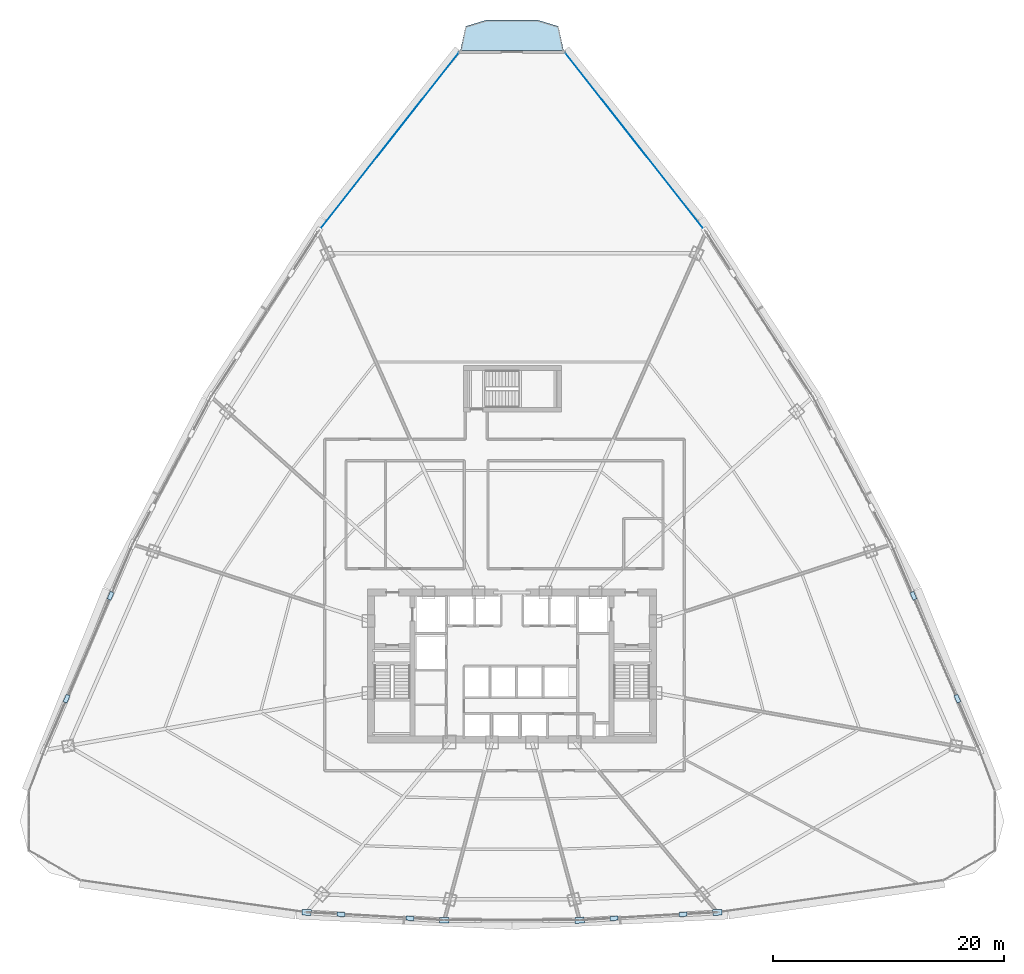
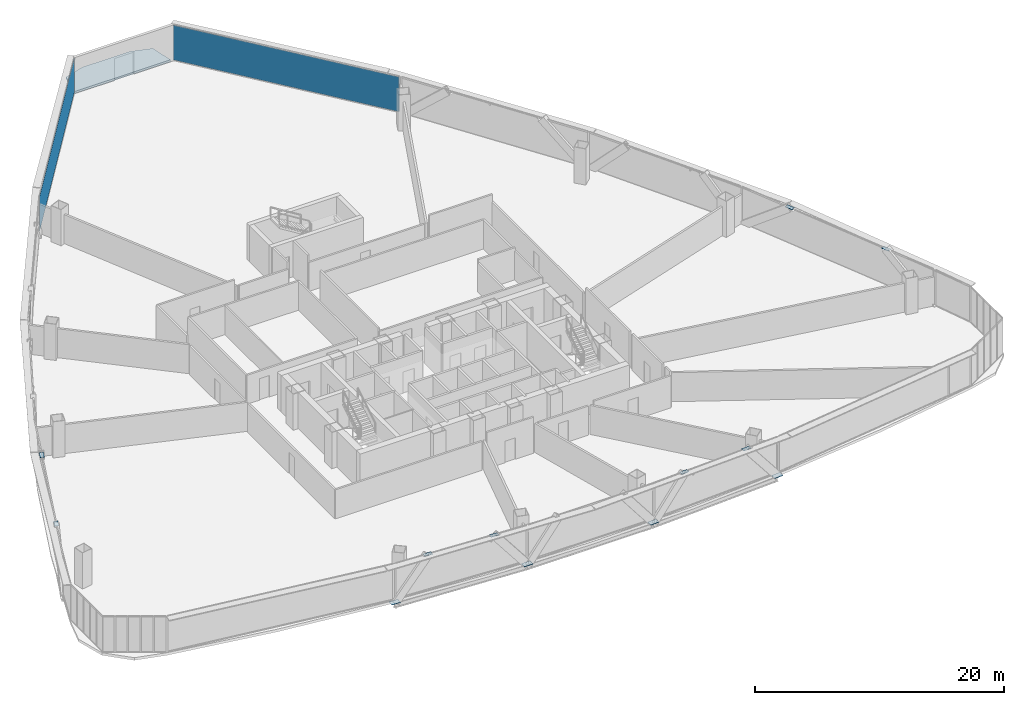
# One storey, part 31 of 39: 14 plates, 1 slab, 2 elements without a shape of their own.
"""IFC4 building model written with IfcOpenShell, lengths in metres."""

import ifcopenshell
import ifcopenshell.guid

model = None  # the IFC model being written
_history = None  # IfcOwnerHistory: only IFC2X3 demands one
_inside = {}  # id of a spatial element -> (the spatial element, [elements in it])
_under = {}  # id of a project, library or spatial element -> (it, [spatial elements below it])
_declared = {}  # id of a project -> (the project, [libraries it declares])
_typed = {}  # id of a type object -> (the type object, [elements of that type])
_made_of = {}  # id of a material, layer set ... -> (it, [elements and type objects made of it])


def new_model(schema):
    """Start an empty IFC model of exactly this schema.

    Asked for "IFC4X3", IfcOpenShell would pick the latest addendum, in which some entities
    have other attributes; the version numbers below select the first issue.
    IFC2X3 requires an IfcOwnerHistory on every rooted entity: one is made here for all.
    """
    global model, _history
    if schema == "IFC4X3":
        model = ifcopenshell.file(schema_version=(4, 3, 0, 0))
    else:
        model = ifcopenshell.file(schema=schema)
    _inside.clear()
    _under.clear()
    _declared.clear()
    _typed.clear()
    _made_of.clear()
    _history = None
    if model.schema == "IFC2X3":
        org = make("IfcOrganization", Name="unknown")
        user = make(
            "IfcPersonAndOrganization",
            ThePerson=make("IfcPerson", FamilyName="unknown"),
            TheOrganization=org,
        )
        app = make(
            "IfcApplication",
            ApplicationDeveloper=org,
            Version="unknown",
            ApplicationFullName="unknown",
            ApplicationIdentifier="unknown",
        )
        _history = make(
            "IfcOwnerHistory",
            OwningUser=user,
            OwningApplication=app,
            ChangeAction="ADDED",
            CreationDate=0,
        )
    return model


def make(cls, **values):
    """One entity of the class cls with the attributes given. An attribute that is None is left unset."""
    return model.create_entity(
        cls, **{name: value for name, value in values.items() if value is not None}
    )


def rooted(cls, **values):
    """An entity with a GlobalId (a new one), such as an element, a storey or a relation."""
    return make(cls, GlobalId=ifcopenshell.guid.new(), OwnerHistory=_history, **values)


def si_unit(unit_type, name, prefix=None):
    """IfcSIUnit, for example si_unit("LENGTHUNIT", "METRE", prefix="MILLI")."""
    return make("IfcSIUnit", UnitType=unit_type, Prefix=prefix, Name=name)


def assignment(units):
    """IfcUnitAssignment: the units of a project."""
    return None if units is None else make("IfcUnitAssignment", Units=units)


def point(xyz):
    """IfcCartesianPoint."""
    return None if xyz is None else make("IfcCartesianPoint", Coordinates=xyz)


def direction(xyz):
    """IfcDirection."""
    return None if xyz is None else make("IfcDirection", DirectionRatios=xyz)


def frame(location, z_axis=None, x_axis=None):
    """IfcAxis2Placement3D, a coordinate frame: its origin and axes. An axis left out is left unset."""
    return make(
        "IfcAxis2Placement3D",
        Location=point(location),
        Axis=direction(z_axis),
        RefDirection=direction(x_axis),
    )


def frame_2d(location, x_axis=None):
    """IfcAxis2Placement2D, a coordinate frame in the plane: its origin and x axis."""
    return make(
        "IfcAxis2Placement2D", Location=point(location), RefDirection=direction(x_axis)
    )


def origin():
    """The frame at (0, 0, 0) with its axes left unset."""
    return frame((0.0, 0.0, 0.0))


def origin_2d():
    """The frame at (0, 0) in the plane with its x axis left unset."""
    return frame_2d((0.0, 0.0))


def place(relative_to, where):
    """IfcLocalPlacement: puts the frame where relative to a parent placement (None: the world)."""
    return make(
        "IfcLocalPlacement", PlacementRelTo=relative_to, RelativePlacement=where
    )


def context(
    kind, dimensions, precision=None, world=None, true_north=None, identifier=None
):
    """IfcGeometricRepresentationContext, for example the 3D "Model" context."""
    return make(
        "IfcGeometricRepresentationContext",
        ContextIdentifier=identifier,
        ContextType=kind,
        CoordinateSpaceDimension=dimensions,
        Precision=precision,
        WorldCoordinateSystem=world,
        TrueNorth=true_north,
    )


def subcontext(parent, identifier, kind, view, scale=None):
    """IfcGeometricRepresentationSubContext, for example "Body" below "Model"."""
    return make(
        "IfcGeometricRepresentationSubContext",
        ContextIdentifier=identifier,
        ContextType=kind,
        ParentContext=parent,
        TargetScale=scale,
        TargetView=view,
    )


def project(units=None, contexts=None):
    """IfcProject with its units and contexts."""
    return rooted(
        "IfcProject",
        Name="project",
        RepresentationContexts=contexts,
        UnitsInContext=assignment(units),
    )


def spatial(cls, under=None, at=None, **own):
    """A site, building, storey or space (cls), placed at a placement, below another one or the project."""
    s = rooted(cls, ObjectPlacement=at, **own)
    if under is not None:
        _under.setdefault(under.id(), (under, []))[1].append(s)
    return s


def polyline(points):
    """IfcPolyline through the points."""
    return make("IfcPolyline", Points=[point(p) for p in points])


def profile(cls, at=None, kind="AREA", **sizes):
    """A parametric profile (cls). Its sizes go by their IFC names, for example OverallWidth=200.0."""
    return make(cls, ProfileType=kind, Position=at, **sizes)


def rectangle(**sizes):
    """IfcRectangleProfileDef."""
    return profile("IfcRectangleProfileDef", **sizes)


def outline(outer, holes=None, kind="AREA"):
    """IfcArbitraryClosedProfileDef: a profile drawn as a closed curve; with holes, ...WithVoids."""
    if holes is None:
        return make("IfcArbitraryClosedProfileDef", ProfileType=kind, OuterCurve=outer)
    return make(
        "IfcArbitraryProfileDefWithVoids",
        ProfileType=kind,
        OuterCurve=outer,
        InnerCurves=holes,
    )


def extrude(swept, where, along, depth):
    """IfcExtrudedAreaSolid: the profile swept, set in the frame where, extruded along a direction by depth."""
    return make(
        "IfcExtrudedAreaSolid",
        SweptArea=swept,
        Position=where,
        ExtrudedDirection=direction(along),
        Depth=depth,
    )


def shape(context_of_items, identifier, shape_type, items):
    """IfcShapeRepresentation: the items that make up one representation, for example the "Body"."""
    return make(
        "IfcShapeRepresentation",
        ContextOfItems=context_of_items,
        RepresentationIdentifier=identifier,
        RepresentationType=shape_type,
        Items=items,
    )


def source(mapping_origin, context_of_items, identifier, shape_type, items):
    """IfcRepresentationMap: a shape defined once, which mapped items show again and again."""
    return make(
        "IfcRepresentationMap",
        MappingOrigin=mapping_origin,
        MappedRepresentation=shape(context_of_items, identifier, shape_type, items),
    )


def transform(
    local_origin,
    x_axis=None,
    y_axis=None,
    z_axis=None,
    scale=None,
    scale2=None,
    scale3=None,
    uniform=True,
):
    """IfcCartesianTransformationOperator3D, or its non-uniform kind. x_axis, y_axis, z_axis: its Axis1, 2, 3."""
    if uniform:
        return make(
            "IfcCartesianTransformationOperator3D",
            Axis1=direction(x_axis),
            Axis2=direction(y_axis),
            LocalOrigin=point(local_origin),
            Scale=scale,
            Axis3=direction(z_axis),
        )
    return make(
        "IfcCartesianTransformationOperator3DnonUniform",
        Axis1=direction(x_axis),
        Axis2=direction(y_axis),
        LocalOrigin=point(local_origin),
        Scale=scale,
        Axis3=direction(z_axis),
        Scale2=scale2,
        Scale3=scale3,
    )


def mapped(mapping_source, mapping_target):
    """IfcMappedItem: shows the shape of a source again, moved by a transform."""
    return make(
        "IfcMappedItem", MappingSource=mapping_source, MappingTarget=mapping_target
    )


def material(Name=None, Category=None):
    """IfcMaterial."""
    return make("IfcMaterial", Name=Name, Category=Category)


def layer(
    of_material, thickness, ventilated=None, Name=None, Category=None, Priority=None
):
    """IfcMaterialLayer: one layer of a wall or slab, of a material (None: an air gap)."""
    return make(
        "IfcMaterialLayer",
        Material=of_material,
        LayerThickness=thickness,
        IsVentilated=ventilated,
        Name=Name,
        Category=Category,
        Priority=Priority,
    )


def layer_set(layers, Name=None):
    """IfcMaterialLayerSet."""
    return make("IfcMaterialLayerSet", MaterialLayers=layers, LayerSetName=Name)


def made_of(thing, what):
    """Note that an element or type object is made of a material, layer set ...; save() writes the relation."""
    if what is not None:
        _made_of.setdefault(what.id(), (what, []))[1].append(thing)
    return thing


def type_object(cls, material=None, **own):
    """A type object (cls), such as IfcWallType, which elements share."""
    return made_of(rooted(cls, **own), material)


def element(
    cls,
    number,
    at=None,
    inside=None,
    cuts=None,
    type_object=None,
    material=None,
    context=None,
    identifier="Body",
    shape_type=None,
    held_by="IfcProductDefinitionShape",
    body=None,
    shapes=None,
    **own,
):
    """One element of the class cls, such as IfcWall. Its Tag is "e" and its number.

    at: its placement. inside: the storey or other place that contains it. cuts: it is an
    opening in that element (IfcRelVoidsElement). A single representation is given by context,
    identifier, shape_type and body (its items); several are given by shapes. held_by: the class
    of the entity that holds the representations. save() writes the other relations.
    """
    e = rooted(cls, Tag="e%d" % number, ObjectPlacement=at, **own)
    if body is not None:
        shapes = [shape(context, identifier, shape_type, body)]
    if shapes is not None:
        e.Representation = make(held_by, Representations=shapes)
    if inside is not None:
        _inside.setdefault(inside.id(), (inside, []))[1].append(e)
    if cuts is not None:
        rooted(
            "IfcRelVoidsElement", RelatingBuildingElement=cuts, RelatedOpeningElement=e
        )
    if type_object is not None:
        _typed.setdefault(type_object.id(), (type_object, []))[1].append(e)
    return made_of(e, material)


def aggregate(whole, parts):
    """IfcRelAggregates: a whole, such as a stair, and the parts it consists of."""
    return rooted("IfcRelAggregates", RelatingObject=whole, RelatedObjects=parts)


def save(model, path):
    """Write the relations noted so far, then the file.

    IfcRelAggregates (storeys below a building ...), IfcRelContainedInSpatialStructure (elements
    in a storey), IfcRelDefinesByType, IfcRelAssociatesMaterial and IfcRelDeclares: one each for
    every whole, place, type object, material and project.
    """
    for whole, parts in _under.values():
        aggregate(whole, parts)
    for where, things in _inside.values():
        rooted(
            "IfcRelContainedInSpatialStructure",
            RelatedElements=things,
            RelatingStructure=where,
        )
    for kind, things in _typed.values():
        rooted("IfcRelDefinesByType", RelatedObjects=things, RelatingType=kind)
    for what, things in _made_of.values():
        rooted("IfcRelAssociatesMaterial", RelatedObjects=things, RelatingMaterial=what)
    for by, libraries in _declared.values():
        rooted("IfcRelDeclares", RelatingContext=by, RelatedDefinitions=libraries)
    model.write(path)


model = new_model("IFC4")

# Units and contexts
model_context = context("Model", 3, precision=1e-05, world=origin(), true_north=direction((0.0, 1.0)))
body_context = subcontext(model_context, "Body", "Model", "MODEL_VIEW")
ifc_project = project(units=[si_unit("LENGTHUNIT", "METRE"), si_unit("AREAUNIT", "SQUARE_METRE"), si_unit("VOLUMEUNIT", "CUBIC_METRE"), si_unit("PLANEANGLEUNIT", "RADIAN"), si_unit("MASSUNIT", "GRAM", prefix="KILO"), si_unit("THERMODYNAMICTEMPERATUREUNIT", "KELVIN"), si_unit("POWERUNIT", "WATT")], contexts=[model_context])

# Site, building, storey
site_placement = place(None, origin())
site = spatial("IfcSite", under=ifc_project, at=site_placement, CompositionType="ELEMENT")
building_placement = place(site_placement, origin())
building = spatial("IfcBuilding", under=site, at=building_placement, Name="Yunzhuo Pagoda Commons", CompositionType="ELEMENT")
storey_placement = place(building_placement, frame((0.0, 0.0, 96.3798828125)))
storey = spatial("IfcBuildingStorey", under=building, at=storey_placement, Name="L24", CompositionType="ELEMENT", Elevation=96.3798828125)

# Slab
ifc_material_1 = material(Name="Concrete C40", Category="concrete")
ifc_layer_1 = layer(ifc_material_1, 0.199951171875)
ifc_layer_set_1 = layer_set([ifc_layer_1], Name="Concrete C40")
slab_type = type_object("IfcSlabType", Name="SL-BAL Vertex Balcony Deck Slab 200", PredefinedType="FLOOR", material=ifc_layer_set_1)
slab_placement = place(storey_placement, frame((0.0, 0.0, -0.199951171875)))
element("IfcSlab", 1, at=slab_placement, inside=storey, type_object=slab_type, Name="L24 corner balcony V3", PredefinedType="FLOOR", context=body_context, shape_type="SweptSolid", body=[
    extrude(outline(polyline([(52.46240234375, 87.039794921875), (43.53759765625, 87.039794921875), (43.987548828125, 89.134765625), (45.768798828125, 89.684814453125), (50.231201171875, 89.684814453125), (52.012451171875, 89.134765625), (52.46240234375, 87.039794921875)])), origin(), (0.0, 0.0, 1.0), 0.199951171875),
])

# Plates
ifc_material_2 = material(Name="Structural steel Q355B", Category="steel")
ifc_layer_2 = layer(ifc_material_2, 0.028076171875)
ifc_layer_set_2 = layer_set([ifc_layer_2], Name="Structural steel Q355B")
plate_type_1 = type_object("IfcPlateType", Name="SP-ND1 Lattice Node Cap Plate 800x500x28", PredefinedType="USERDEFINED", material=ifc_layer_set_2)
shared_shape_1 = source(origin(), body_context, "Body", "SweptSolid", [
    extrude(rectangle(XDim=0.800048828125, YDim=0.5, at=origin_2d()), origin(), (0.0, 0.0, 1.0), 0.028076171875),
])
for number, where, z_axis, x_axis, name in (
    (2, (30.25048828125, 12.547119140625, -0.27392578125), (0.0, 0.0, 1.0), (0.998356852628, -0.057302659713, 0.0), "L24 diamond node plate F1.1A"),
    (3, (42.149169921875, 11.8642578125, -0.27392578125), (0.0, 0.0, 1.0), (1.0, 0.0, 0.0), "L24 diamond node plate F1.2A"),
    (4, (53.850830078125, 11.8642578125, -0.27392578125), (0.0, 0.0, 1.0), (0.998356852628, 0.057302659713, 0.0), "L24 diamond node plate F1.3A"),
    (5, (65.74951171875, 12.547119140625, -0.27392578125), (0.0, 0.0, 1.0), (0.998356852628, 0.057302659713, 0.0), "L24 diamond node plate F1.3B"),
):
    element("IfcPlate", number, at=place(storey_placement, frame(where, z_axis=z_axis, x_axis=x_axis)), inside=storey, type_object=plate_type_1, Name=name, ObjectType="STIFFENER_PLATE", PredefinedType="USERDEFINED", context=body_context, shape_type="MappedRepresentation", body=[
        mapped(shared_shape_1, transform((0.0, 0.0, 0.0), scale=1.0)),
    ])
shared_shape_2 = source(origin(), body_context, "Body", "SweptSolid", [
    extrude(rectangle(XDim=0.699951171875, YDim=0.35009765625, at=origin_2d()), origin(), (0.0, 0.0, 1.0), 0.035888671875),
])
for number, where, z_axis, x_axis, name in (
    (6, (33.22509765625, 12.37646484375, 3.501953125), (0.0, 0.0, 1.0), (0.998356852628, -0.057302659713, 0.0), "L24 setback lattice tie plate F1.1L"),
    (7, (39.174560546875, 12.034912109375, 3.501953125), (0.0, 0.0, 1.0), (0.998356852628, -0.057302659713, 0.0), "L24 setback lattice tie plate F1.1R"),
    (8, (56.825439453125, 12.034912109375, 3.501953125), (0.0, 0.0, 1.0), (0.998356852628, 0.057302659713, 0.0), "L24 setback lattice tie plate F1.3L"),
    (9, (62.77490234375, 12.37646484375, 3.501953125), (0.0, 0.0, 1.0), (0.998356852628, 0.057302659713, 0.0), "L24 setback lattice tie plate F1.3R"),
    (10, (86.501953125, 31.020751953125, 3.501953125), (0.0, 0.0, 1.0), (-0.393364322102, 0.919382678811, 0.0), "L24 setback lattice tie plate F2.1L"),
    (11, (82.6982421875, 39.9111328125, 3.501953125), (0.0, 0.0, 1.0), (-0.393364322102, 0.919382678811, 0.0), "L24 setback lattice tie plate F2.1R"),
    (12, (13.3017578125, 39.9111328125, 3.501953125), (0.0, 0.0, 1.0), (-0.393364322102, -0.919382678811, 0.0), "L24 setback lattice tie plate F3.3L"),
    (13, (9.498046875, 31.020751953125, 3.501953125), (0.0, 0.0, 1.0), (-0.393364322102, -0.919382678811, 0.0), "L24 setback lattice tie plate F3.3R"),
):
    element("IfcPlate", number, at=place(storey_placement, frame(where, z_axis=z_axis, x_axis=x_axis)), inside=storey, type_object=plate_type_1, Name=name, ObjectType="STIFFENER_PLATE", PredefinedType="USERDEFINED", context=body_context, shape_type="MappedRepresentation", body=[
        mapped(shared_shape_2, transform((0.0, 0.0, 0.0), scale=1.0)),
    ])

# Curtain wall, plate
ifc_material_3 = material(Name="Anodized aluminium 6063-T6", Category="aluminium")
ifc_layer_3 = layer(ifc_material_3, 0.1650390625)
ifc_layer_set_3 = layer_set([ifc_layer_3], Name="Anodized aluminium 6063-T6")
curtain_wall_type = type_object("IfcCurtainWallType", Name="CW-LOW Low-Zone Ribbon Curtain Wall", PredefinedType="NOTDEFINED", material=ifc_layer_set_3)
curtain_wall_1_placement = place(storey_placement, origin())
curtain_wall_1 = element("IfcCurtainWall", 14, at=curtain_wall_1_placement, inside=storey, type_object=curtain_wall_type, Name="L24 curtain wall CW-L24-F2B5", PredefinedType="NOTDEFINED")
ifc_material_4 = material(Name="Tempered low-e double glazing", Category="glass")
ifc_layer_4 = layer(ifc_material_4, 0.028076171875)
ifc_layer_set_4 = layer_set([ifc_layer_4], Name="Tempered low-e double glazing")
plate_type_2 = type_object("IfcPlateType", Name="CW-LOW-P Low-E Double Glazing 28", PredefinedType="CURTAIN_PANEL", material=ifc_layer_set_4)
shared_shape_3 = source(origin(), body_context, "Body", "SweptSolid", [
    extrude(rectangle(XDim=19.558349609375, YDim=0.028076171875, at=origin_2d()), origin(), (0.0, 0.0, 1.0), 3.419921875),
])
plate_1_placement = place(storey_placement, frame((58.640625, 79.1650390625, 0.06005859375), z_axis=(0.0, 0.0, 1.0), x_axis=(-0.617953216301, 0.786214870416, 0.0)))
plate_1 = element("IfcPlate", 15, at=plate_1_placement, type_object=plate_type_2, Name="CW panel 1.1", PredefinedType="CURTAIN_PANEL", context=body_context, shape_type="MappedRepresentation", body=[
    mapped(shared_shape_3, transform((0.0, 0.0, 0.0), scale=1.0)),
])
aggregate(curtain_wall_1, [plate_1])

curtain_wall_2_placement = place(storey_placement, origin())
curtain_wall_2 = element("IfcCurtainWall", 16, at=curtain_wall_2_placement, inside=storey, type_object=curtain_wall_type, Name="L24 curtain wall CW-L24-F3B1", PredefinedType="NOTDEFINED")
plate_2_placement = place(storey_placement, frame((37.359375, 79.1650390625, 0.06005859375), z_axis=(0.0, 0.0, 1.0), x_axis=(-0.617953216301, -0.786214870416, 0.0)))
plate_2 = element("IfcPlate", 17, at=plate_2_placement, type_object=plate_type_2, Name="CW panel 1.1", PredefinedType="CURTAIN_PANEL", context=body_context, shape_type="MappedRepresentation", body=[
    mapped(shared_shape_3, transform((0.0, 0.0, 0.0), scale=1.0)),
])
aggregate(curtain_wall_2, [plate_2])

save(model, "model.ifc")
